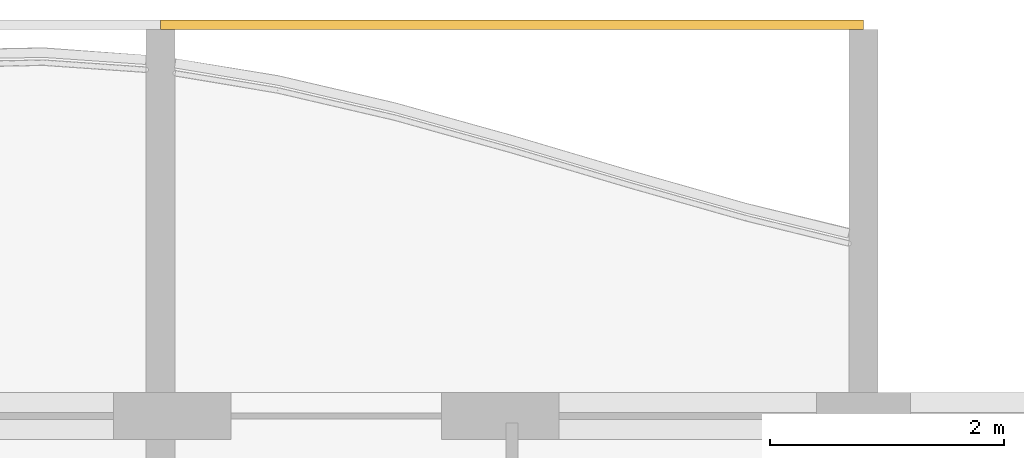
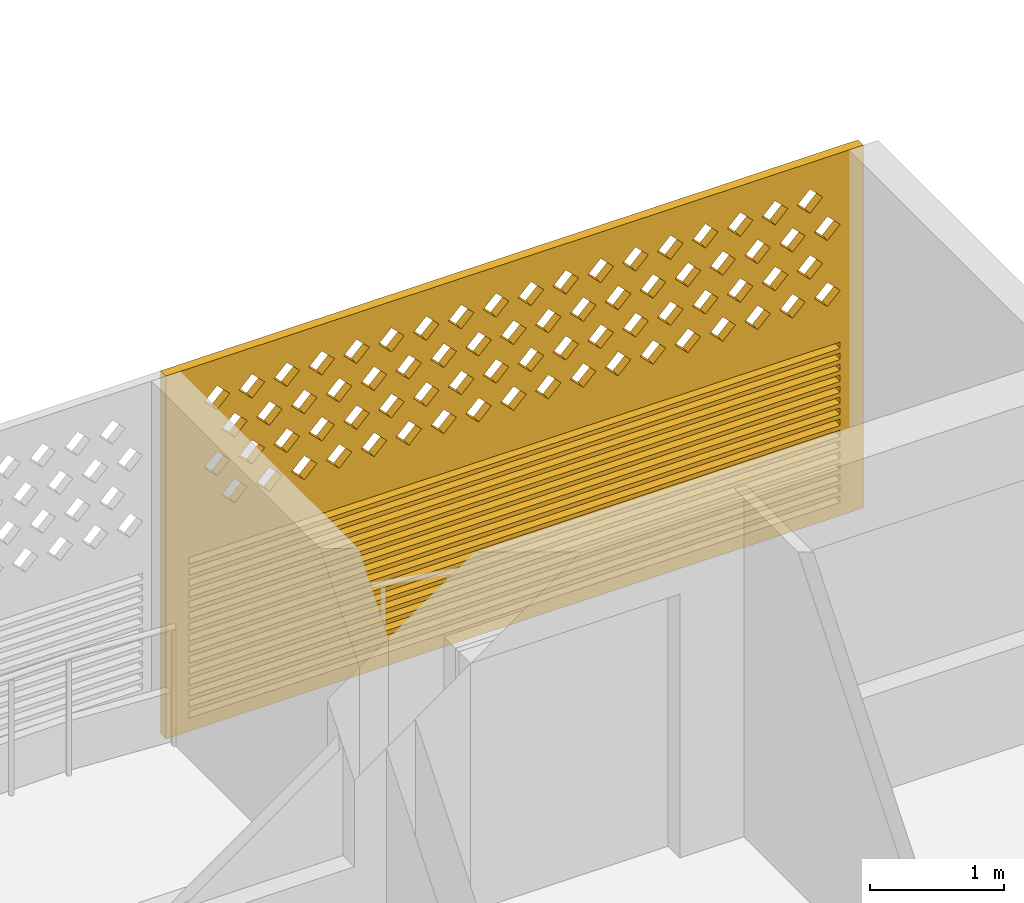
# One storey, part 19 of 27: 1 covering.
"""IFC4 building model written with IfcOpenShell, lengths in metres."""

from ifc_helpers import new_model, si_unit, direction, frame, origin, place, context, subcontext, project, spatial, polyline, outline, extrude, source, transform, mapped, material, material_profile, profile_set, type_object, element, save


model = new_model("IFC4")

# Units and contexts
model_context = context("Model", 3, precision=1e-05, world=origin(), true_north=direction((0.0, 1.0)))
body_context = subcontext(model_context, "Body", "Model", "MODEL_VIEW")
ifc_project = project(units=[si_unit("LENGTHUNIT", "METRE"), si_unit("AREAUNIT", "SQUARE_METRE"), si_unit("VOLUMEUNIT", "CUBIC_METRE"), si_unit("PLANEANGLEUNIT", "RADIAN"), si_unit("MASSUNIT", "GRAM", prefix="KILO")], contexts=[model_context])

# Site, building, storey
site_placement = place(None, origin())
site = spatial("IfcSite", under=ifc_project, at=site_placement, CompositionType="ELEMENT")
building_placement = place(site_placement, origin())
building = spatial("IfcBuilding", under=site, at=building_placement, Name="Poui Terraces", CompositionType="ELEMENT")
storey_placement = place(building_placement, frame((0.0, 0.0, 198.300048828125)))
storey = spatial("IfcBuildingStorey", under=building, at=storey_placement, Name="L55", CompositionType="ELEMENT", Elevation=198.300048828125)

# Covering
ifc_material = material(Name="Terracotta screen", Category="masonry")
ifc_material_profile = material_profile(ifc_material, outline(polyline([(-3.0, -1.64990234375), (3.0, -1.64990234375), (3.0, 1.64990234375), (-3.0, 1.64990234375), (-3.0, -1.64990234375)]), holes=[polyline([(-2.800048828125, 0.39990234375), (-2.68994140625, 0.2900390625), (-2.580078125, 0.39990234375), (-2.68994140625, 0.510009765625), (-2.800048828125, 0.39990234375)]), polyline([(-2.5, 0.39990234375), (-2.389892578125, 0.2900390625), (-2.280029296875, 0.39990234375), (-2.389892578125, 0.510009765625), (-2.5, 0.39990234375)]), polyline([(-2.199951171875, 0.39990234375), (-2.090087890625, 0.2900390625), (-1.97998046875, 0.39990234375), (-2.090087890625, 0.510009765625), (-2.199951171875, 0.39990234375)]), polyline([(-1.89990234375, 0.39990234375), (-1.7900390625, 0.2900390625), (-1.679931640625, 0.39990234375), (-1.7900390625, 0.510009765625), (-1.89990234375, 0.39990234375)]), polyline([(-1.60009765625, 0.39990234375), (-1.489990234375, 0.2900390625), (-1.3798828125, 0.39990234375), (-1.489990234375, 0.510009765625), (-1.60009765625, 0.39990234375)]), polyline([(-1.300048828125, 0.39990234375), (-1.18994140625, 0.2900390625), (-1.080078125, 0.39990234375), (-1.18994140625, 0.510009765625), (-1.300048828125, 0.39990234375)]), polyline([(-1.0, 0.39990234375), (-0.889892578125, 0.2900390625), (-0.780029296875, 0.39990234375), (-0.889892578125, 0.510009765625), (-1.0, 0.39990234375)]), polyline([(-0.699951171875, 0.39990234375), (-0.590087890625, 0.2900390625), (-0.47998046875, 0.39990234375), (-0.590087890625, 0.510009765625), (-0.699951171875, 0.39990234375)]), polyline([(-0.39990234375, 0.39990234375), (-0.2900390625, 0.2900390625), (-0.179931640625, 0.39990234375), (-0.2900390625, 0.510009765625), (-0.39990234375, 0.39990234375)]), polyline([(-0.10009765625, 0.39990234375), (0.010009765625, 0.2900390625), (0.1201171875, 0.39990234375), (0.010009765625, 0.510009765625), (-0.10009765625, 0.39990234375)]), polyline([(0.199951171875, 0.39990234375), (0.31005859375, 0.2900390625), (0.419921875, 0.39990234375), (0.31005859375, 0.510009765625), (0.199951171875, 0.39990234375)]), polyline([(0.5, 0.39990234375), (0.610107421875, 0.2900390625), (0.719970703125, 0.39990234375), (0.610107421875, 0.510009765625), (0.5, 0.39990234375)]), polyline([(0.800048828125, 0.39990234375), (0.909912109375, 0.2900390625), (1.02001953125, 0.39990234375), (0.909912109375, 0.510009765625), (0.800048828125, 0.39990234375)]), polyline([(1.10009765625, 0.39990234375), (1.2099609375, 0.2900390625), (1.320068359375, 0.39990234375), (1.2099609375, 0.510009765625), (1.10009765625, 0.39990234375)]), polyline([(1.39990234375, 0.39990234375), (1.510009765625, 0.2900390625), (1.6201171875, 0.39990234375), (1.510009765625, 0.510009765625), (1.39990234375, 0.39990234375)]), polyline([(1.699951171875, 0.39990234375), (1.81005859375, 0.2900390625), (1.919921875, 0.39990234375), (1.81005859375, 0.510009765625), (1.699951171875, 0.39990234375)]), polyline([(2.0, 0.39990234375), (2.110107421875, 0.2900390625), (2.219970703125, 0.39990234375), (2.110107421875, 0.510009765625), (2.0, 0.39990234375)]), polyline([(2.300048828125, 0.39990234375), (2.409912109375, 0.2900390625), (2.52001953125, 0.39990234375), (2.409912109375, 0.510009765625), (2.300048828125, 0.39990234375)]), polyline([(-2.64990234375, 0.699951171875), (-2.5400390625, 0.590087890625), (-2.429931640625, 0.699951171875), (-2.5400390625, 0.81005859375), (-2.64990234375, 0.699951171875)]), polyline([(-2.35009765625, 0.699951171875), (-2.239990234375, 0.590087890625), (-2.1298828125, 0.699951171875), (-2.239990234375, 0.81005859375), (-2.35009765625, 0.699951171875)]), polyline([(-2.050048828125, 0.699951171875), (-1.93994140625, 0.590087890625), (-1.830078125, 0.699951171875), (-1.93994140625, 0.81005859375), (-2.050048828125, 0.699951171875)]), polyline([(-1.75, 0.699951171875), (-1.639892578125, 0.590087890625), (-1.530029296875, 0.699951171875), (-1.639892578125, 0.81005859375), (-1.75, 0.699951171875)]), polyline([(-1.449951171875, 0.699951171875), (-1.340087890625, 0.590087890625), (-1.22998046875, 0.699951171875), (-1.340087890625, 0.81005859375), (-1.449951171875, 0.699951171875)]), polyline([(-1.14990234375, 0.699951171875), (-1.0400390625, 0.590087890625), (-0.929931640625, 0.699951171875), (-1.0400390625, 0.81005859375), (-1.14990234375, 0.699951171875)]), polyline([(-0.85009765625, 0.699951171875), (-0.739990234375, 0.590087890625), (-0.6298828125, 0.699951171875), (-0.739990234375, 0.81005859375), (-0.85009765625, 0.699951171875)]), polyline([(-0.550048828125, 0.699951171875), (-0.43994140625, 0.590087890625), (-0.330078125, 0.699951171875), (-0.43994140625, 0.81005859375), (-0.550048828125, 0.699951171875)]), polyline([(-0.25, 0.699951171875), (-0.139892578125, 0.590087890625), (-0.030029296875, 0.699951171875), (-0.139892578125, 0.81005859375), (-0.25, 0.699951171875)]), polyline([(0.050048828125, 0.699951171875), (0.159912109375, 0.590087890625), (0.27001953125, 0.699951171875), (0.159912109375, 0.81005859375), (0.050048828125, 0.699951171875)]), polyline([(0.35009765625, 0.699951171875), (0.4599609375, 0.590087890625), (0.570068359375, 0.699951171875), (0.4599609375, 0.81005859375), (0.35009765625, 0.699951171875)]), polyline([(0.64990234375, 0.699951171875), (0.760009765625, 0.590087890625), (0.8701171875, 0.699951171875), (0.760009765625, 0.81005859375), (0.64990234375, 0.699951171875)]), polyline([(0.949951171875, 0.699951171875), (1.06005859375, 0.590087890625), (1.169921875, 0.699951171875), (1.06005859375, 0.81005859375), (0.949951171875, 0.699951171875)]), polyline([(1.25, 0.699951171875), (1.360107421875, 0.590087890625), (1.469970703125, 0.699951171875), (1.360107421875, 0.81005859375), (1.25, 0.699951171875)]), polyline([(1.550048828125, 0.699951171875), (1.659912109375, 0.590087890625), (1.77001953125, 0.699951171875), (1.659912109375, 0.81005859375), (1.550048828125, 0.699951171875)]), polyline([(1.85009765625, 0.699951171875), (1.9599609375, 0.590087890625), (2.070068359375, 0.699951171875), (1.9599609375, 0.81005859375), (1.85009765625, 0.699951171875)]), polyline([(2.14990234375, 0.699951171875), (2.260009765625, 0.590087890625), (2.3701171875, 0.699951171875), (2.260009765625, 0.81005859375), (2.14990234375, 0.699951171875)]), polyline([(2.449951171875, 0.699951171875), (2.56005859375, 0.590087890625), (2.669921875, 0.699951171875), (2.56005859375, 0.81005859375), (2.449951171875, 0.699951171875)]), polyline([(-2.800048828125, 1.0), (-2.68994140625, 0.889892578125), (-2.580078125, 1.0), (-2.68994140625, 1.110107421875), (-2.800048828125, 1.0)]), polyline([(-2.5, 1.0), (-2.389892578125, 0.889892578125), (-2.280029296875, 1.0), (-2.389892578125, 1.110107421875), (-2.5, 1.0)]), polyline([(-2.199951171875, 1.0), (-2.090087890625, 0.889892578125), (-1.97998046875, 1.0), (-2.090087890625, 1.110107421875), (-2.199951171875, 1.0)]), polyline([(-1.89990234375, 1.0), (-1.7900390625, 0.889892578125), (-1.679931640625, 1.0), (-1.7900390625, 1.110107421875), (-1.89990234375, 1.0)]), polyline([(-1.60009765625, 1.0), (-1.489990234375, 0.889892578125), (-1.3798828125, 1.0), (-1.489990234375, 1.110107421875), (-1.60009765625, 1.0)]), polyline([(-1.300048828125, 1.0), (-1.18994140625, 0.889892578125), (-1.080078125, 1.0), (-1.18994140625, 1.110107421875), (-1.300048828125, 1.0)]), polyline([(-1.0, 1.0), (-0.889892578125, 0.889892578125), (-0.780029296875, 1.0), (-0.889892578125, 1.110107421875), (-1.0, 1.0)]), polyline([(-0.699951171875, 1.0), (-0.590087890625, 0.889892578125), (-0.47998046875, 1.0), (-0.590087890625, 1.110107421875), (-0.699951171875, 1.0)]), polyline([(-0.39990234375, 1.0), (-0.2900390625, 0.889892578125), (-0.179931640625, 1.0), (-0.2900390625, 1.110107421875), (-0.39990234375, 1.0)]), polyline([(-0.10009765625, 1.0), (0.010009765625, 0.889892578125), (0.1201171875, 1.0), (0.010009765625, 1.110107421875), (-0.10009765625, 1.0)]), polyline([(0.199951171875, 1.0), (0.31005859375, 0.889892578125), (0.419921875, 1.0), (0.31005859375, 1.110107421875), (0.199951171875, 1.0)]), polyline([(0.5, 1.0), (0.610107421875, 0.889892578125), (0.719970703125, 1.0), (0.610107421875, 1.110107421875), (0.5, 1.0)]), polyline([(0.800048828125, 1.0), (0.909912109375, 0.889892578125), (1.02001953125, 1.0), (0.909912109375, 1.110107421875), (0.800048828125, 1.0)]), polyline([(1.10009765625, 1.0), (1.2099609375, 0.889892578125), (1.320068359375, 1.0), (1.2099609375, 1.110107421875), (1.10009765625, 1.0)]), polyline([(1.39990234375, 1.0), (1.510009765625, 0.889892578125), (1.6201171875, 1.0), (1.510009765625, 1.110107421875), (1.39990234375, 1.0)]), polyline([(1.699951171875, 1.0), (1.81005859375, 0.889892578125), (1.919921875, 1.0), (1.81005859375, 1.110107421875), (1.699951171875, 1.0)]), polyline([(2.0, 1.0), (2.110107421875, 0.889892578125), (2.219970703125, 1.0), (2.110107421875, 1.110107421875), (2.0, 1.0)]), polyline([(2.300048828125, 1.0), (2.409912109375, 0.889892578125), (2.52001953125, 1.0), (2.409912109375, 1.110107421875), (2.300048828125, 1.0)]), polyline([(-2.64990234375, 1.300048828125), (-2.5400390625, 1.18994140625), (-2.429931640625, 1.300048828125), (-2.5400390625, 1.409912109375), (-2.64990234375, 1.300048828125)]), polyline([(-2.35009765625, 1.300048828125), (-2.239990234375, 1.18994140625), (-2.1298828125, 1.300048828125), (-2.239990234375, 1.409912109375), (-2.35009765625, 1.300048828125)]), polyline([(-2.050048828125, 1.300048828125), (-1.93994140625, 1.18994140625), (-1.830078125, 1.300048828125), (-1.93994140625, 1.409912109375), (-2.050048828125, 1.300048828125)]), polyline([(-1.75, 1.300048828125), (-1.639892578125, 1.18994140625), (-1.530029296875, 1.300048828125), (-1.639892578125, 1.409912109375), (-1.75, 1.300048828125)]), polyline([(-1.449951171875, 1.300048828125), (-1.340087890625, 1.18994140625), (-1.22998046875, 1.300048828125), (-1.340087890625, 1.409912109375), (-1.449951171875, 1.300048828125)]), polyline([(-1.14990234375, 1.300048828125), (-1.0400390625, 1.18994140625), (-0.929931640625, 1.300048828125), (-1.0400390625, 1.409912109375), (-1.14990234375, 1.300048828125)]), polyline([(-0.85009765625, 1.300048828125), (-0.739990234375, 1.18994140625), (-0.6298828125, 1.300048828125), (-0.739990234375, 1.409912109375), (-0.85009765625, 1.300048828125)]), polyline([(-0.550048828125, 1.300048828125), (-0.43994140625, 1.18994140625), (-0.330078125, 1.300048828125), (-0.43994140625, 1.409912109375), (-0.550048828125, 1.300048828125)]), polyline([(-0.25, 1.300048828125), (-0.139892578125, 1.18994140625), (-0.030029296875, 1.300048828125), (-0.139892578125, 1.409912109375), (-0.25, 1.300048828125)]), polyline([(0.050048828125, 1.300048828125), (0.159912109375, 1.18994140625), (0.27001953125, 1.300048828125), (0.159912109375, 1.409912109375), (0.050048828125, 1.300048828125)]), polyline([(0.35009765625, 1.300048828125), (0.4599609375, 1.18994140625), (0.570068359375, 1.300048828125), (0.4599609375, 1.409912109375), (0.35009765625, 1.300048828125)]), polyline([(0.64990234375, 1.300048828125), (0.760009765625, 1.18994140625), (0.8701171875, 1.300048828125), (0.760009765625, 1.409912109375), (0.64990234375, 1.300048828125)]), polyline([(0.949951171875, 1.300048828125), (1.06005859375, 1.18994140625), (1.169921875, 1.300048828125), (1.06005859375, 1.409912109375), (0.949951171875, 1.300048828125)]), polyline([(1.25, 1.300048828125), (1.360107421875, 1.18994140625), (1.469970703125, 1.300048828125), (1.360107421875, 1.409912109375), (1.25, 1.300048828125)]), polyline([(1.550048828125, 1.300048828125), (1.659912109375, 1.18994140625), (1.77001953125, 1.300048828125), (1.659912109375, 1.409912109375), (1.550048828125, 1.300048828125)]), polyline([(1.85009765625, 1.300048828125), (1.9599609375, 1.18994140625), (2.070068359375, 1.300048828125), (1.9599609375, 1.409912109375), (1.85009765625, 1.300048828125)]), polyline([(2.14990234375, 1.300048828125), (2.260009765625, 1.18994140625), (2.3701171875, 1.300048828125), (2.260009765625, 1.409912109375), (2.14990234375, 1.300048828125)]), polyline([(2.449951171875, 1.300048828125), (2.56005859375, 1.18994140625), (2.669921875, 1.300048828125), (2.56005859375, 1.409912109375), (2.449951171875, 1.300048828125)]), polyline([(-2.800048828125, -1.530029296875), (2.800048828125, -1.530029296875), (2.800048828125, -1.469970703125), (-2.800048828125, -1.469970703125), (-2.800048828125, -1.530029296875)]), polyline([(-2.800048828125, -1.429931640625), (2.800048828125, -1.429931640625), (2.800048828125, -1.3701171875), (-2.800048828125, -1.3701171875), (-2.800048828125, -1.429931640625)]), polyline([(-2.800048828125, -1.330078125), (2.800048828125, -1.330078125), (2.800048828125, -1.27001953125), (-2.800048828125, -1.27001953125), (-2.800048828125, -1.330078125)]), polyline([(-2.800048828125, -1.22998046875), (2.800048828125, -1.22998046875), (2.800048828125, -1.169921875), (-2.800048828125, -1.169921875), (-2.800048828125, -1.22998046875)]), polyline([(-2.800048828125, -1.1298828125), (2.800048828125, -1.1298828125), (2.800048828125, -1.070068359375), (-2.800048828125, -1.070068359375), (-2.800048828125, -1.1298828125)]), polyline([(-2.800048828125, -1.030029296875), (2.800048828125, -1.030029296875), (2.800048828125, -0.969970703125), (-2.800048828125, -0.969970703125), (-2.800048828125, -1.030029296875)]), polyline([(-2.800048828125, -0.929931640625), (2.800048828125, -0.929931640625), (2.800048828125, -0.8701171875), (-2.800048828125, -0.8701171875), (-2.800048828125, -0.929931640625)]), polyline([(-2.800048828125, -0.830078125), (2.800048828125, -0.830078125), (2.800048828125, -0.77001953125), (-2.800048828125, -0.77001953125), (-2.800048828125, -0.830078125)]), polyline([(-2.800048828125, -0.72998046875), (2.800048828125, -0.72998046875), (2.800048828125, -0.669921875), (-2.800048828125, -0.669921875), (-2.800048828125, -0.72998046875)]), polyline([(-2.800048828125, -0.6298828125), (2.800048828125, -0.6298828125), (2.800048828125, -0.570068359375), (-2.800048828125, -0.570068359375), (-2.800048828125, -0.6298828125)]), polyline([(-2.800048828125, -0.530029296875), (2.800048828125, -0.530029296875), (2.800048828125, -0.469970703125), (-2.800048828125, -0.469970703125), (-2.800048828125, -0.530029296875)]), polyline([(-2.800048828125, -0.429931640625), (2.800048828125, -0.429931640625), (2.800048828125, -0.3701171875), (-2.800048828125, -0.3701171875), (-2.800048828125, -0.429931640625)]), polyline([(-2.800048828125, -0.330078125), (2.800048828125, -0.330078125), (2.800048828125, -0.27001953125), (-2.800048828125, -0.27001953125), (-2.800048828125, -0.330078125)]), polyline([(-2.800048828125, -0.22998046875), (2.800048828125, -0.22998046875), (2.800048828125, -0.169921875), (-2.800048828125, -0.169921875), (-2.800048828125, -0.22998046875)]), polyline([(-2.800048828125, -0.1298828125), (2.800048828125, -0.1298828125), (2.800048828125, -0.070068359375), (-2.800048828125, -0.070068359375), (-2.800048828125, -0.1298828125)])]), Name="TERRACOTTA SCREEN AND JALOUSIE LOUVRE 6000X3300")
ifc_profile_set = profile_set([ifc_material_profile], Name="Terracotta screen")
covering_type = type_object("IfcCoveringType", Name="TERRACOTTA SCREEN AND JALOUSIE LOUVRE 6000X3300", PredefinedType="CLADDING", material=ifc_profile_set)
shared_shape = source(origin(), body_context, "Body", "SweptSolid", [
    extrude(outline(polyline([(-3.0, -1.64990234375), (3.0, -1.64990234375), (3.0, 1.64990234375), (-3.0, 1.64990234375), (-3.0, -1.64990234375)]), holes=[polyline([(-2.800048828125, 0.39990234375), (-2.68994140625, 0.2900390625), (-2.580078125, 0.39990234375), (-2.68994140625, 0.510009765625), (-2.800048828125, 0.39990234375)]), polyline([(-2.5, 0.39990234375), (-2.389892578125, 0.2900390625), (-2.280029296875, 0.39990234375), (-2.389892578125, 0.510009765625), (-2.5, 0.39990234375)]), polyline([(-2.199951171875, 0.39990234375), (-2.090087890625, 0.2900390625), (-1.97998046875, 0.39990234375), (-2.090087890625, 0.510009765625), (-2.199951171875, 0.39990234375)]), polyline([(-1.89990234375, 0.39990234375), (-1.7900390625, 0.2900390625), (-1.679931640625, 0.39990234375), (-1.7900390625, 0.510009765625), (-1.89990234375, 0.39990234375)]), polyline([(-1.60009765625, 0.39990234375), (-1.489990234375, 0.2900390625), (-1.3798828125, 0.39990234375), (-1.489990234375, 0.510009765625), (-1.60009765625, 0.39990234375)]), polyline([(-1.300048828125, 0.39990234375), (-1.18994140625, 0.2900390625), (-1.080078125, 0.39990234375), (-1.18994140625, 0.510009765625), (-1.300048828125, 0.39990234375)]), polyline([(-1.0, 0.39990234375), (-0.889892578125, 0.2900390625), (-0.780029296875, 0.39990234375), (-0.889892578125, 0.510009765625), (-1.0, 0.39990234375)]), polyline([(-0.699951171875, 0.39990234375), (-0.590087890625, 0.2900390625), (-0.47998046875, 0.39990234375), (-0.590087890625, 0.510009765625), (-0.699951171875, 0.39990234375)]), polyline([(-0.39990234375, 0.39990234375), (-0.2900390625, 0.2900390625), (-0.179931640625, 0.39990234375), (-0.2900390625, 0.510009765625), (-0.39990234375, 0.39990234375)]), polyline([(-0.10009765625, 0.39990234375), (0.010009765625, 0.2900390625), (0.1201171875, 0.39990234375), (0.010009765625, 0.510009765625), (-0.10009765625, 0.39990234375)]), polyline([(0.199951171875, 0.39990234375), (0.31005859375, 0.2900390625), (0.419921875, 0.39990234375), (0.31005859375, 0.510009765625), (0.199951171875, 0.39990234375)]), polyline([(0.5, 0.39990234375), (0.610107421875, 0.2900390625), (0.719970703125, 0.39990234375), (0.610107421875, 0.510009765625), (0.5, 0.39990234375)]), polyline([(0.800048828125, 0.39990234375), (0.909912109375, 0.2900390625), (1.02001953125, 0.39990234375), (0.909912109375, 0.510009765625), (0.800048828125, 0.39990234375)]), polyline([(1.10009765625, 0.39990234375), (1.2099609375, 0.2900390625), (1.320068359375, 0.39990234375), (1.2099609375, 0.510009765625), (1.10009765625, 0.39990234375)]), polyline([(1.39990234375, 0.39990234375), (1.510009765625, 0.2900390625), (1.6201171875, 0.39990234375), (1.510009765625, 0.510009765625), (1.39990234375, 0.39990234375)]), polyline([(1.699951171875, 0.39990234375), (1.81005859375, 0.2900390625), (1.919921875, 0.39990234375), (1.81005859375, 0.510009765625), (1.699951171875, 0.39990234375)]), polyline([(2.0, 0.39990234375), (2.110107421875, 0.2900390625), (2.219970703125, 0.39990234375), (2.110107421875, 0.510009765625), (2.0, 0.39990234375)]), polyline([(2.300048828125, 0.39990234375), (2.409912109375, 0.2900390625), (2.52001953125, 0.39990234375), (2.409912109375, 0.510009765625), (2.300048828125, 0.39990234375)]), polyline([(-2.64990234375, 0.699951171875), (-2.5400390625, 0.590087890625), (-2.429931640625, 0.699951171875), (-2.5400390625, 0.81005859375), (-2.64990234375, 0.699951171875)]), polyline([(-2.35009765625, 0.699951171875), (-2.239990234375, 0.590087890625), (-2.1298828125, 0.699951171875), (-2.239990234375, 0.81005859375), (-2.35009765625, 0.699951171875)]), polyline([(-2.050048828125, 0.699951171875), (-1.93994140625, 0.590087890625), (-1.830078125, 0.699951171875), (-1.93994140625, 0.81005859375), (-2.050048828125, 0.699951171875)]), polyline([(-1.75, 0.699951171875), (-1.639892578125, 0.590087890625), (-1.530029296875, 0.699951171875), (-1.639892578125, 0.81005859375), (-1.75, 0.699951171875)]), polyline([(-1.449951171875, 0.699951171875), (-1.340087890625, 0.590087890625), (-1.22998046875, 0.699951171875), (-1.340087890625, 0.81005859375), (-1.449951171875, 0.699951171875)]), polyline([(-1.14990234375, 0.699951171875), (-1.0400390625, 0.590087890625), (-0.929931640625, 0.699951171875), (-1.0400390625, 0.81005859375), (-1.14990234375, 0.699951171875)]), polyline([(-0.85009765625, 0.699951171875), (-0.739990234375, 0.590087890625), (-0.6298828125, 0.699951171875), (-0.739990234375, 0.81005859375), (-0.85009765625, 0.699951171875)]), polyline([(-0.550048828125, 0.699951171875), (-0.43994140625, 0.590087890625), (-0.330078125, 0.699951171875), (-0.43994140625, 0.81005859375), (-0.550048828125, 0.699951171875)]), polyline([(-0.25, 0.699951171875), (-0.139892578125, 0.590087890625), (-0.030029296875, 0.699951171875), (-0.139892578125, 0.81005859375), (-0.25, 0.699951171875)]), polyline([(0.050048828125, 0.699951171875), (0.159912109375, 0.590087890625), (0.27001953125, 0.699951171875), (0.159912109375, 0.81005859375), (0.050048828125, 0.699951171875)]), polyline([(0.35009765625, 0.699951171875), (0.4599609375, 0.590087890625), (0.570068359375, 0.699951171875), (0.4599609375, 0.81005859375), (0.35009765625, 0.699951171875)]), polyline([(0.64990234375, 0.699951171875), (0.760009765625, 0.590087890625), (0.8701171875, 0.699951171875), (0.760009765625, 0.81005859375), (0.64990234375, 0.699951171875)]), polyline([(0.949951171875, 0.699951171875), (1.06005859375, 0.590087890625), (1.169921875, 0.699951171875), (1.06005859375, 0.81005859375), (0.949951171875, 0.699951171875)]), polyline([(1.25, 0.699951171875), (1.360107421875, 0.590087890625), (1.469970703125, 0.699951171875), (1.360107421875, 0.81005859375), (1.25, 0.699951171875)]), polyline([(1.550048828125, 0.699951171875), (1.659912109375, 0.590087890625), (1.77001953125, 0.699951171875), (1.659912109375, 0.81005859375), (1.550048828125, 0.699951171875)]), polyline([(1.85009765625, 0.699951171875), (1.9599609375, 0.590087890625), (2.070068359375, 0.699951171875), (1.9599609375, 0.81005859375), (1.85009765625, 0.699951171875)]), polyline([(2.14990234375, 0.699951171875), (2.260009765625, 0.590087890625), (2.3701171875, 0.699951171875), (2.260009765625, 0.81005859375), (2.14990234375, 0.699951171875)]), polyline([(2.449951171875, 0.699951171875), (2.56005859375, 0.590087890625), (2.669921875, 0.699951171875), (2.56005859375, 0.81005859375), (2.449951171875, 0.699951171875)]), polyline([(-2.800048828125, 1.0), (-2.68994140625, 0.889892578125), (-2.580078125, 1.0), (-2.68994140625, 1.110107421875), (-2.800048828125, 1.0)]), polyline([(-2.5, 1.0), (-2.389892578125, 0.889892578125), (-2.280029296875, 1.0), (-2.389892578125, 1.110107421875), (-2.5, 1.0)]), polyline([(-2.199951171875, 1.0), (-2.090087890625, 0.889892578125), (-1.97998046875, 1.0), (-2.090087890625, 1.110107421875), (-2.199951171875, 1.0)]), polyline([(-1.89990234375, 1.0), (-1.7900390625, 0.889892578125), (-1.679931640625, 1.0), (-1.7900390625, 1.110107421875), (-1.89990234375, 1.0)]), polyline([(-1.60009765625, 1.0), (-1.489990234375, 0.889892578125), (-1.3798828125, 1.0), (-1.489990234375, 1.110107421875), (-1.60009765625, 1.0)]), polyline([(-1.300048828125, 1.0), (-1.18994140625, 0.889892578125), (-1.080078125, 1.0), (-1.18994140625, 1.110107421875), (-1.300048828125, 1.0)]), polyline([(-1.0, 1.0), (-0.889892578125, 0.889892578125), (-0.780029296875, 1.0), (-0.889892578125, 1.110107421875), (-1.0, 1.0)]), polyline([(-0.699951171875, 1.0), (-0.590087890625, 0.889892578125), (-0.47998046875, 1.0), (-0.590087890625, 1.110107421875), (-0.699951171875, 1.0)]), polyline([(-0.39990234375, 1.0), (-0.2900390625, 0.889892578125), (-0.179931640625, 1.0), (-0.2900390625, 1.110107421875), (-0.39990234375, 1.0)]), polyline([(-0.10009765625, 1.0), (0.010009765625, 0.889892578125), (0.1201171875, 1.0), (0.010009765625, 1.110107421875), (-0.10009765625, 1.0)]), polyline([(0.199951171875, 1.0), (0.31005859375, 0.889892578125), (0.419921875, 1.0), (0.31005859375, 1.110107421875), (0.199951171875, 1.0)]), polyline([(0.5, 1.0), (0.610107421875, 0.889892578125), (0.719970703125, 1.0), (0.610107421875, 1.110107421875), (0.5, 1.0)]), polyline([(0.800048828125, 1.0), (0.909912109375, 0.889892578125), (1.02001953125, 1.0), (0.909912109375, 1.110107421875), (0.800048828125, 1.0)]), polyline([(1.10009765625, 1.0), (1.2099609375, 0.889892578125), (1.320068359375, 1.0), (1.2099609375, 1.110107421875), (1.10009765625, 1.0)]), polyline([(1.39990234375, 1.0), (1.510009765625, 0.889892578125), (1.6201171875, 1.0), (1.510009765625, 1.110107421875), (1.39990234375, 1.0)]), polyline([(1.699951171875, 1.0), (1.81005859375, 0.889892578125), (1.919921875, 1.0), (1.81005859375, 1.110107421875), (1.699951171875, 1.0)]), polyline([(2.0, 1.0), (2.110107421875, 0.889892578125), (2.219970703125, 1.0), (2.110107421875, 1.110107421875), (2.0, 1.0)]), polyline([(2.300048828125, 1.0), (2.409912109375, 0.889892578125), (2.52001953125, 1.0), (2.409912109375, 1.110107421875), (2.300048828125, 1.0)]), polyline([(-2.64990234375, 1.300048828125), (-2.5400390625, 1.18994140625), (-2.429931640625, 1.300048828125), (-2.5400390625, 1.409912109375), (-2.64990234375, 1.300048828125)]), polyline([(-2.35009765625, 1.300048828125), (-2.239990234375, 1.18994140625), (-2.1298828125, 1.300048828125), (-2.239990234375, 1.409912109375), (-2.35009765625, 1.300048828125)]), polyline([(-2.050048828125, 1.300048828125), (-1.93994140625, 1.18994140625), (-1.830078125, 1.300048828125), (-1.93994140625, 1.409912109375), (-2.050048828125, 1.300048828125)]), polyline([(-1.75, 1.300048828125), (-1.639892578125, 1.18994140625), (-1.530029296875, 1.300048828125), (-1.639892578125, 1.409912109375), (-1.75, 1.300048828125)]), polyline([(-1.449951171875, 1.300048828125), (-1.340087890625, 1.18994140625), (-1.22998046875, 1.300048828125), (-1.340087890625, 1.409912109375), (-1.449951171875, 1.300048828125)]), polyline([(-1.14990234375, 1.300048828125), (-1.0400390625, 1.18994140625), (-0.929931640625, 1.300048828125), (-1.0400390625, 1.409912109375), (-1.14990234375, 1.300048828125)]), polyline([(-0.85009765625, 1.300048828125), (-0.739990234375, 1.18994140625), (-0.6298828125, 1.300048828125), (-0.739990234375, 1.409912109375), (-0.85009765625, 1.300048828125)]), polyline([(-0.550048828125, 1.300048828125), (-0.43994140625, 1.18994140625), (-0.330078125, 1.300048828125), (-0.43994140625, 1.409912109375), (-0.550048828125, 1.300048828125)]), polyline([(-0.25, 1.300048828125), (-0.139892578125, 1.18994140625), (-0.030029296875, 1.300048828125), (-0.139892578125, 1.409912109375), (-0.25, 1.300048828125)]), polyline([(0.050048828125, 1.300048828125), (0.159912109375, 1.18994140625), (0.27001953125, 1.300048828125), (0.159912109375, 1.409912109375), (0.050048828125, 1.300048828125)]), polyline([(0.35009765625, 1.300048828125), (0.4599609375, 1.18994140625), (0.570068359375, 1.300048828125), (0.4599609375, 1.409912109375), (0.35009765625, 1.300048828125)]), polyline([(0.64990234375, 1.300048828125), (0.760009765625, 1.18994140625), (0.8701171875, 1.300048828125), (0.760009765625, 1.409912109375), (0.64990234375, 1.300048828125)]), polyline([(0.949951171875, 1.300048828125), (1.06005859375, 1.18994140625), (1.169921875, 1.300048828125), (1.06005859375, 1.409912109375), (0.949951171875, 1.300048828125)]), polyline([(1.25, 1.300048828125), (1.360107421875, 1.18994140625), (1.469970703125, 1.300048828125), (1.360107421875, 1.409912109375), (1.25, 1.300048828125)]), polyline([(1.550048828125, 1.300048828125), (1.659912109375, 1.18994140625), (1.77001953125, 1.300048828125), (1.659912109375, 1.409912109375), (1.550048828125, 1.300048828125)]), polyline([(1.85009765625, 1.300048828125), (1.9599609375, 1.18994140625), (2.070068359375, 1.300048828125), (1.9599609375, 1.409912109375), (1.85009765625, 1.300048828125)]), polyline([(2.14990234375, 1.300048828125), (2.260009765625, 1.18994140625), (2.3701171875, 1.300048828125), (2.260009765625, 1.409912109375), (2.14990234375, 1.300048828125)]), polyline([(2.449951171875, 1.300048828125), (2.56005859375, 1.18994140625), (2.669921875, 1.300048828125), (2.56005859375, 1.409912109375), (2.449951171875, 1.300048828125)]), polyline([(-2.800048828125, -1.530029296875), (2.800048828125, -1.530029296875), (2.800048828125, -1.469970703125), (-2.800048828125, -1.469970703125), (-2.800048828125, -1.530029296875)]), polyline([(-2.800048828125, -1.429931640625), (2.800048828125, -1.429931640625), (2.800048828125, -1.3701171875), (-2.800048828125, -1.3701171875), (-2.800048828125, -1.429931640625)]), polyline([(-2.800048828125, -1.330078125), (2.800048828125, -1.330078125), (2.800048828125, -1.27001953125), (-2.800048828125, -1.27001953125), (-2.800048828125, -1.330078125)]), polyline([(-2.800048828125, -1.22998046875), (2.800048828125, -1.22998046875), (2.800048828125, -1.169921875), (-2.800048828125, -1.169921875), (-2.800048828125, -1.22998046875)]), polyline([(-2.800048828125, -1.1298828125), (2.800048828125, -1.1298828125), (2.800048828125, -1.070068359375), (-2.800048828125, -1.070068359375), (-2.800048828125, -1.1298828125)]), polyline([(-2.800048828125, -1.030029296875), (2.800048828125, -1.030029296875), (2.800048828125, -0.969970703125), (-2.800048828125, -0.969970703125), (-2.800048828125, -1.030029296875)]), polyline([(-2.800048828125, -0.929931640625), (2.800048828125, -0.929931640625), (2.800048828125, -0.8701171875), (-2.800048828125, -0.8701171875), (-2.800048828125, -0.929931640625)]), polyline([(-2.800048828125, -0.830078125), (2.800048828125, -0.830078125), (2.800048828125, -0.77001953125), (-2.800048828125, -0.77001953125), (-2.800048828125, -0.830078125)]), polyline([(-2.800048828125, -0.72998046875), (2.800048828125, -0.72998046875), (2.800048828125, -0.669921875), (-2.800048828125, -0.669921875), (-2.800048828125, -0.72998046875)]), polyline([(-2.800048828125, -0.6298828125), (2.800048828125, -0.6298828125), (2.800048828125, -0.570068359375), (-2.800048828125, -0.570068359375), (-2.800048828125, -0.6298828125)]), polyline([(-2.800048828125, -0.530029296875), (2.800048828125, -0.530029296875), (2.800048828125, -0.469970703125), (-2.800048828125, -0.469970703125), (-2.800048828125, -0.530029296875)]), polyline([(-2.800048828125, -0.429931640625), (2.800048828125, -0.429931640625), (2.800048828125, -0.3701171875), (-2.800048828125, -0.3701171875), (-2.800048828125, -0.429931640625)]), polyline([(-2.800048828125, -0.330078125), (2.800048828125, -0.330078125), (2.800048828125, -0.27001953125), (-2.800048828125, -0.27001953125), (-2.800048828125, -0.330078125)]), polyline([(-2.800048828125, -0.22998046875), (2.800048828125, -0.22998046875), (2.800048828125, -0.169921875), (-2.800048828125, -0.169921875), (-2.800048828125, -0.22998046875)]), polyline([(-2.800048828125, -0.1298828125), (2.800048828125, -0.1298828125), (2.800048828125, -0.070068359375), (-2.800048828125, -0.070068359375), (-2.800048828125, -0.1298828125)])]), origin(), (0.0, 0.0, 1.0), 0.080078125),
])
covering_placement = place(storey_placement, frame((33.0, 44.5, 1.449951171875), z_axis=(0.0, 1.0, 0.0), x_axis=(-1.0, 0.0, 0.0)))
element("IfcCovering", 1, at=covering_placement, inside=storey, type_object=covering_type, Name="SOLAR SCREEN AND JALOUSIE LOUVRE", PredefinedType="CLADDING", context=body_context, shape_type="MappedRepresentation", body=[
    mapped(shared_shape, transform((0.0, 0.0, 0.0))),
])

save(model, "model.ifc")
